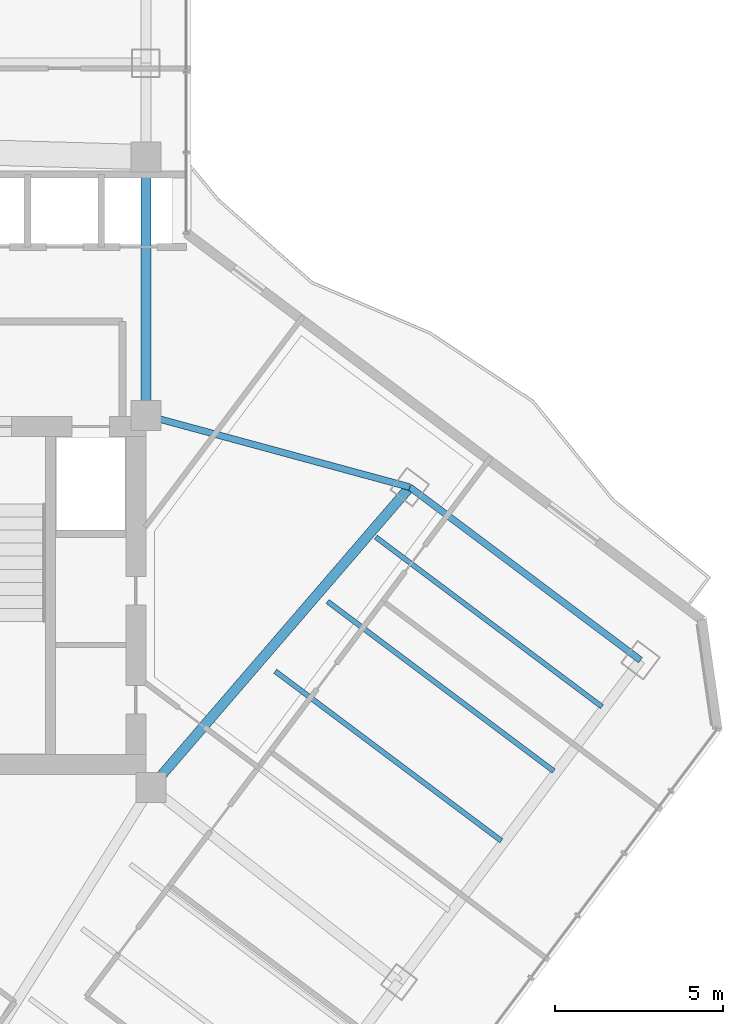
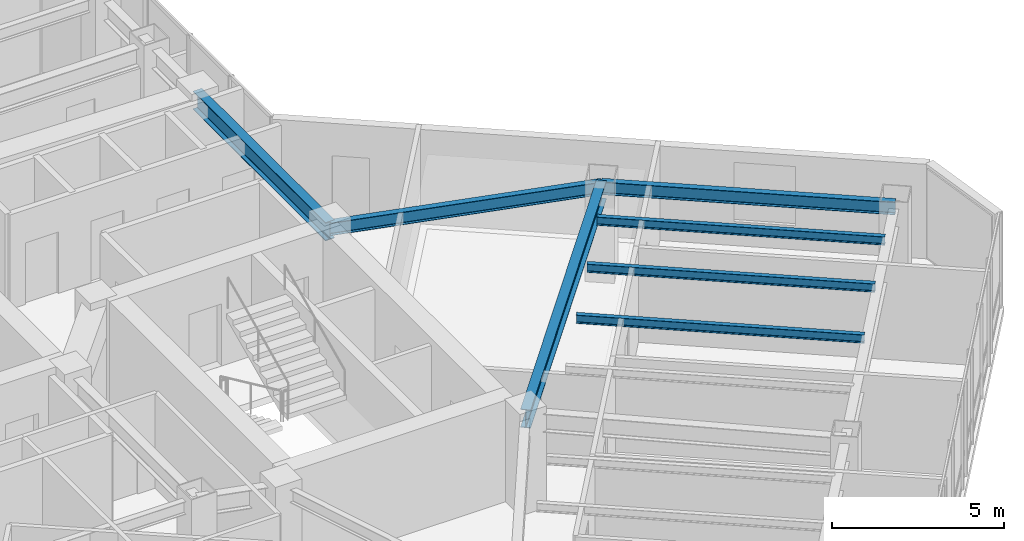
# One storey, part 14 of 27: 7 beams.
"""IFC4 building model written with IfcOpenShell, lengths in metres."""

from ifc_helpers import new_model, si_unit, direction, frame, origin, origin_2d, place, context, subcontext, project, spatial, i_section, extrude, material, material_profile, profile_set, type_object, element, save


model = new_model("IFC4")

# Units and contexts
model_context = context("Model", 3, precision=1e-05, world=origin(), true_north=direction((0.0, 1.0)))
body_context = subcontext(model_context, "Body", "Model", "MODEL_VIEW")
ifc_project = project(units=[si_unit("LENGTHUNIT", "METRE"), si_unit("AREAUNIT", "SQUARE_METRE"), si_unit("VOLUMEUNIT", "CUBIC_METRE"), si_unit("PLANEANGLEUNIT", "RADIAN"), si_unit("MASSUNIT", "GRAM", prefix="KILO")], contexts=[model_context])

# Site, building, storey
site_placement = place(None, origin())
site = spatial("IfcSite", under=ifc_project, at=site_placement, CompositionType="ELEMENT")
building_placement = place(site_placement, origin())
building = spatial("IfcBuilding", under=site, at=building_placement, Name="Hatsunagi Terrace Concourse", CompositionType="ELEMENT")
storey_placement = place(building_placement, frame((0.0, 0.0, 145.64990234375)))
storey = spatial("IfcBuildingStorey", under=building, at=storey_placement, Name="L38", CompositionType="ELEMENT", Elevation=145.64990234375)

# Beams
ifc_material_1 = material(Name="Steel SN490B", Category="steel")
ifc_material_profile_1 = material_profile(ifc_material_1, i_section(OverallWidth=0.14990234375, OverallDepth=0.300048828125, WebThickness=0.006591796875, FlangeThickness=0.009033203125, FilletRadius=0.010986328125, at=origin_2d()), Name="H-300x150x6.5x9")
ifc_profile_set_1 = profile_set([ifc_material_profile_1], Name="Steel SN490B")
beam_type_1 = type_object("IfcBeamType", Name="OfficeJoist_H_300x150", PredefinedType="JOIST", material=ifc_profile_set_1)
for number, where, z_axis, x_axis, name in (
    (1, (47.508056640625, 27.6689453125, 3.2001953125), (0.800003475366, -0.59999536615, 0.0), (0.59999536615, 0.800003475366, 0.0), "Beam J-03 J-L38-SE-2-168"),
    (2, (49.068115234375, 29.7490234375, 3.2001953125), (0.799989573921, -0.600013901187, 0.0), (0.600013901187, 0.799989573921, 0.0), "Beam J-03 J-L38-SE-2-194"),
    (3, (50.508056640625, 31.6689453125, 3.2001953125), (0.800003475366, -0.59999536615, 0.0), (0.59999536615, 0.800003475366, 0.0), "Beam J-03 J-L38-SE-2-218"),
):
    element("IfcBeam", number, at=place(storey_placement, frame(where, z_axis=z_axis, x_axis=x_axis)), inside=storey, type_object=beam_type_1, Name=name, PredefinedType="JOIST", context=body_context, shape_type="SweptSolid", body=[
        extrude(i_section(OverallWidth=0.14990234375, OverallDepth=0.300048828125, WebThickness=0.006591796875, FlangeThickness=0.009033203125, FilletRadius=0.010986328125, at=origin_2d()), origin(), (0.0, 0.0, 1.0), 8.429931640625),
    ])
ifc_material_2 = material(Name="Steel SN490B", Category="steel")
ifc_material_profile_2 = material_profile(ifc_material_2, i_section(OverallWidth=0.300048828125, OverallDepth=0.64990234375, WebThickness=0.012939453125, FlangeThickness=0.02197265625, FilletRadius=0.01806640625, at=origin_2d()), Name="H-650x300x13x22")
ifc_profile_set_2 = profile_set([ifc_material_profile_2], Name="Steel SN490B")
beam_type_2 = type_object("IfcBeamType", Name="OfficeLowGirder_H_650x300", PredefinedType="BEAM", material=ifc_profile_set_2)
beam_1_placement = place(storey_placement, frame((43.64990234375, 35.300048828125, 3.025146484375), z_axis=(0.0, 1.0, 0.0), x_axis=(-1.0, 0.0, 0.0)))
element("IfcBeam", 4, at=beam_1_placement, inside=storey, type_object=beam_type_2, Name="Beam G-05 BM-L38-CBK3", PredefinedType="BEAM", context=body_context, shape_type="SweptSolid", body=[
    extrude(i_section(OverallWidth=0.300048828125, OverallDepth=0.64990234375, WebThickness=0.012939453125, FlangeThickness=0.02197265625, FilletRadius=0.01806640625, at=origin_2d()), origin(), (0.0, 0.0, 1.0), 7.699951171875),
])
beam_2_placement = place(storey_placement, frame((43.800048828125, 24.199951171875, 3.025146484375), z_axis=(0.652739101421, 0.757582777969, 0.0), x_axis=(-0.757582777969, 0.652739101421, 0.0)))
element("IfcBeam", 5, at=beam_2_placement, inside=storey, type_object=beam_type_2, Name="Beam G-05 BM-L38-SET-1B", PredefinedType="BEAM", context=body_context, shape_type="SweptSolid", body=[
    extrude(i_section(OverallWidth=0.300048828125, OverallDepth=0.64990234375, WebThickness=0.012939453125, FlangeThickness=0.02197265625, FilletRadius=0.01806640625, at=origin_2d()), origin(), (0.0, 0.0, 1.0), 11.8271484375),
])
ifc_material_3 = material(Name="Steel SN490B", Category="steel")
ifc_material_profile_3 = material_profile(ifc_material_3, i_section(OverallWidth=0.199951171875, OverallDepth=0.449951171875, WebThickness=0.009033203125, FlangeThickness=0.013916015625, FilletRadius=0.01611328125, at=origin_2d()), Name="H-450x200x9x14")
ifc_profile_set_3 = profile_set([ifc_material_profile_3], Name="Steel SN490B")
beam_type_3 = type_object("IfcBeamType", Name="PerimeterSpandrel_H_450x200", PredefinedType="SPANDREL", material=ifc_profile_set_3)
beam_3_placement = place(storey_placement, frame((43.64990234375, 35.300048828125, 3.125), z_axis=(0.964958359286, -0.262403057994, 0.0), x_axis=(0.262403057994, 0.964958359286, 0.0)))
element("IfcBeam", 6, at=beam_3_placement, inside=storey, type_object=beam_type_3, Name="Beam SP-02 BM-L38-SE-NE0", PredefinedType="SPANDREL", context=body_context, shape_type="SweptSolid", body=[
    extrude(i_section(OverallWidth=0.199951171875, OverallDepth=0.449951171875, WebThickness=0.009033203125, FlangeThickness=0.013916015625, FilletRadius=0.01611328125, at=origin_2d()), origin(), (0.0, 0.0, 1.0), 8.156005859375),
])
beam_4_placement = place(storey_placement, frame((51.52001953125, 33.159912109375, 3.125), z_axis=(0.8, -0.6, 0.0), x_axis=(0.6, 0.8, 0.0)))
element("IfcBeam", 7, at=beam_4_placement, inside=storey, type_object=beam_type_3, Name="Beam SP-02 BM-L38-SE-NE2", PredefinedType="SPANDREL", context=body_context, shape_type="SweptSolid", body=[
    extrude(i_section(OverallWidth=0.199951171875, OverallDepth=0.449951171875, WebThickness=0.009033203125, FlangeThickness=0.013916015625, FilletRadius=0.01611328125, at=origin_2d()), origin(), (0.0, 0.0, 1.0), 8.599853515625),
])

save(model, "model.ifc")
